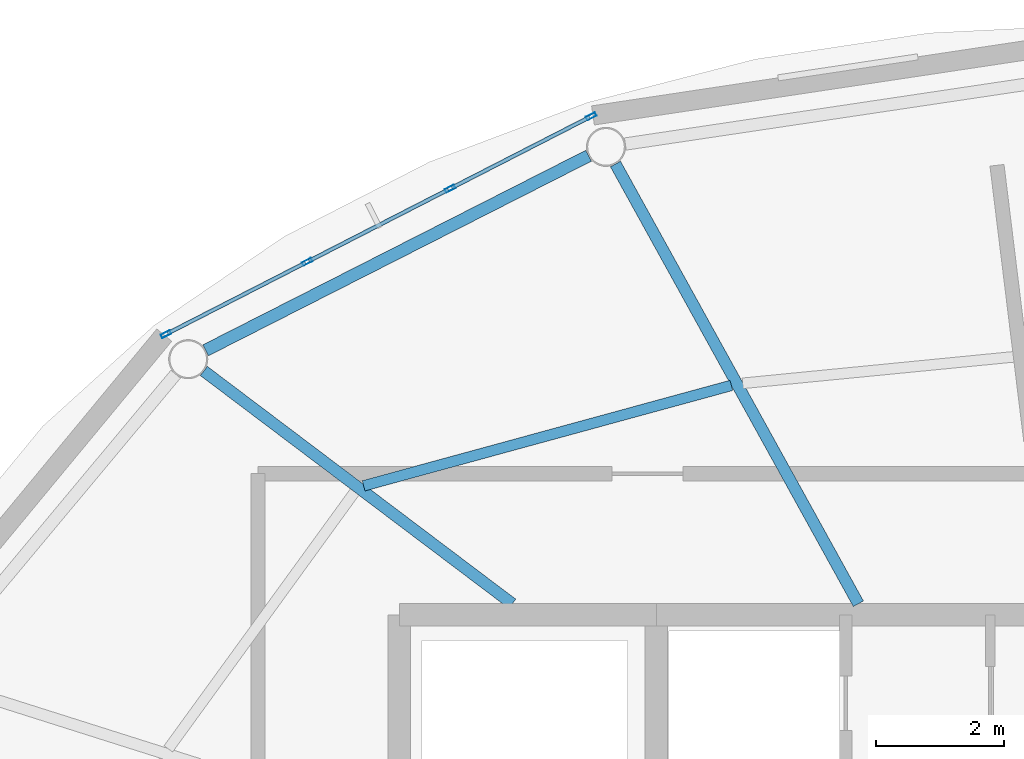
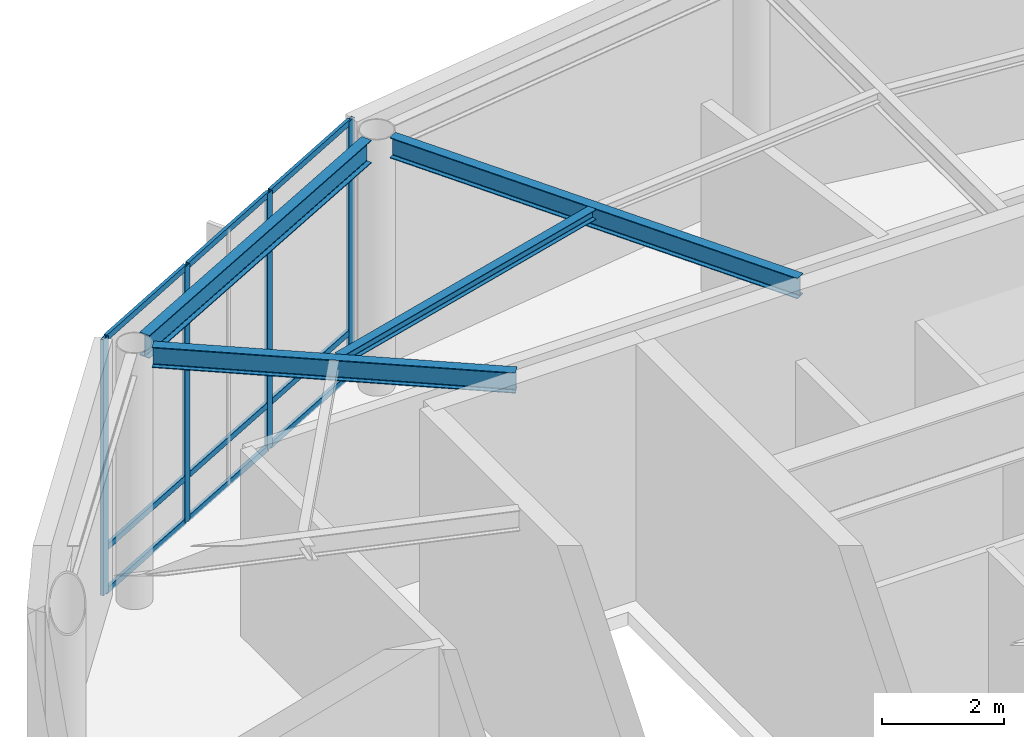
# One storey, part 7 of 14: 13 members, 4 beams, 1 element without a shape of its own.
"""IFC4 building model written with IfcOpenShell, lengths in metres."""

from ifc_helpers import new_model, si_unit, direction, frame, origin, origin_2d, place, context, subcontext, project, spatial, hollow_rectangle, i_section, extrude, material, layer, layer_set, material_profile, profile_set, type_object, element, aggregate, save


model = new_model("IFC4")

# Units and contexts
model_context = context("Model", 3, precision=1e-05, world=origin(), true_north=direction((0.0, 1.0)))
body_context = subcontext(model_context, "Body", "Model", "MODEL_VIEW")
ifc_project = project(units=[si_unit("LENGTHUNIT", "METRE"), si_unit("AREAUNIT", "SQUARE_METRE"), si_unit("VOLUMEUNIT", "CUBIC_METRE"), si_unit("PLANEANGLEUNIT", "RADIAN"), si_unit("MASSUNIT", "GRAM", prefix="KILO")], contexts=[model_context])

# Site, building, storey
site_placement = place(None, origin())
site = spatial("IfcSite", under=ifc_project, at=site_placement, CompositionType="ELEMENT")
building_placement = place(site_placement, origin())
building = spatial("IfcBuilding", under=site, at=building_placement, Name="Sarneth Arch Tower", CompositionType="ELEMENT")
storey_placement = place(building_placement, frame((0.0, 0.0, 321.60009765625)))
storey = spatial("IfcBuildingStorey", under=building, at=storey_placement, Name="L83", CompositionType="ELEMENT", Elevation=321.60009765625)

# Beams
ifc_material_1 = material(Name="Steel S355", Category="steel")
ifc_material_profile_1 = material_profile(ifc_material_1, i_section(OverallWidth=0.1650390625, OverallDepth=0.200927734375, WebThickness=0.006103515625, FlangeThickness=0.01025390625, FilletRadius=0.010009765625, at=origin_2d()), Name="W200x35.9")
ifc_profile_set_1 = profile_set([ifc_material_profile_1], Name="Steel S355")
beam_type_1 = type_object("IfcBeamType", Name="BM-JOIST-200", PredefinedType="JOIST", material=ifc_profile_set_1)
beam_1_placement = place(storey_placement, frame((42.1689453125, 52.375, 5.039306640625), z_axis=(-0.964665041137, -0.263479332034, 0.0), x_axis=(0.263479332034, -0.964665041137, 0.0)))
element("IfcBeam", 1, at=beam_1_placement, inside=storey, type_object=beam_type_1, Name="L83 Secondary floor joist 06", PredefinedType="JOIST", context=body_context, shape_type="SweptSolid", body=[
    extrude(i_section(OverallWidth=0.1650390625, OverallDepth=0.200927734375, WebThickness=0.006103515625, FlangeThickness=0.01025390625, FilletRadius=0.010009765625, at=origin_2d()), origin(), (0.0, 0.0, 1.0), 5.935791015625),
])
ifc_material_2 = material(Name="Steel S355", Category="steel")
ifc_material_profile_2 = material_profile(ifc_material_2, i_section(OverallWidth=0.179931640625, OverallDepth=0.4130859375, WebThickness=0.009765625, FlangeThickness=0.01611328125, FilletRadius=0.01611328125, at=origin_2d()), Name="W410x75")
ifc_profile_set_2 = profile_set([ifc_material_profile_2], Name="Steel S355")
beam_type_2 = type_object("IfcBeamType", Name="BM-RAD-410B", PredefinedType="BEAM", material=ifc_profile_set_2)
beam_2_placement = place(storey_placement, frame((44.14697265625, 48.97509765625, 4.933349609375), z_axis=(-0.483540137105, 0.875322189715, 0.0), x_axis=(-0.875322189715, -0.483540137105, 0.0)))
element("IfcBeam", 2, at=beam_2_placement, inside=storey, type_object=beam_type_2, Name="L83 Radial floor girder 06", PredefinedType="BEAM", context=body_context, shape_type="SweptSolid", body=[
    extrude(i_section(OverallWidth=0.179931640625, OverallDepth=0.4130859375, WebThickness=0.009765625, FlangeThickness=0.01611328125, FilletRadius=0.01611328125, at=origin_2d()), origin(), (0.0, 0.0, 1.0), 7.822509765625),
])
beam_3_placement = place(storey_placement, frame((38.757568359375, 48.97509765625, 4.933349609375), z_axis=(-0.798219333929, 0.602366910563, 0.0), x_axis=(-0.602366910563, -0.798219333929, 0.0)))
element("IfcBeam", 3, at=beam_3_placement, inside=storey, type_object=beam_type_2, Name="L83 Radial floor girder 07", PredefinedType="BEAM", context=body_context, shape_type="SweptSolid", body=[
    extrude(i_section(OverallWidth=0.179931640625, OverallDepth=0.4130859375, WebThickness=0.009765625, FlangeThickness=0.01611328125, FilletRadius=0.01611328125, at=origin_2d()), origin(), (0.0, 0.0, 1.0), 6.01708984375),
])
ifc_material_3 = material(Name="Steel S355", Category="steel")
ifc_material_profile_3 = material_profile(ifc_material_3, i_section(OverallWidth=0.19189453125, OverallDepth=0.462890625, WebThickness=0.010498046875, FlangeThickness=0.017578125, FilletRadius=0.01806640625, at=origin_2d()), Name="W460x89")
ifc_profile_set_3 = profile_set([ifc_material_profile_3], Name="Steel S355")
beam_type_3 = type_object("IfcBeamType", Name="BM-RAD-460B", PredefinedType="BEAM", material=ifc_profile_set_3)
beam_4_placement = place(storey_placement, frame((39.945068359375, 55.950927734375, 4.908447265625), z_axis=(-0.891524580884, -0.45297231889, 0.0), x_axis=(0.45297231889, -0.891524580884, 0.0)))
element("IfcBeam", 4, at=beam_4_placement, inside=storey, type_object=beam_type_3, Name="L83 Perimeter spandrel beam 06", PredefinedType="BEAM", context=body_context, shape_type="SweptSolid", body=[
    extrude(i_section(OverallWidth=0.19189453125, OverallDepth=0.462890625, WebThickness=0.010498046875, FlangeThickness=0.017578125, FilletRadius=0.01806640625, at=origin_2d()), origin(), (0.0, 0.0, 1.0), 6.6875),
])

# Curtain wall, members
ifc_material_4 = material(Name="Anodised aluminium Type AA25 and solar-control low-e laminated IGU", Category="aluminium")
ifc_layer = layer(ifc_material_4, 0.18994140625)
ifc_layer_set = layer_set([ifc_layer], Name="Anodised aluminium Type AA25 and solar-control low-e laminated IGU")
curtain_wall_type = type_object("IfcCurtainWallType", Name="CW-CROWN-DRUM", PredefinedType="NOTDEFINED", material=ifc_layer_set)
curtain_wall_placement = place(storey_placement, origin())
curtain_wall = element("IfcCurtainWall", 5, at=curtain_wall_placement, inside=storey, type_object=curtain_wall_type, Name="L83 Unitised curtain wall facet 06", PredefinedType="NOTDEFINED")
ifc_material_5 = material(Name="Anodised Aluminium 6063-T6", Category="aluminium")
ifc_material_profile_4 = material_profile(ifc_material_5, hollow_rectangle(XDim=0.06005859375, YDim=0.159912109375, WallThickness=0.00390625, at=origin_2d()), Name="AL-MULL-160x60x4")
ifc_profile_set_4 = profile_set([ifc_material_profile_4], Name="Anodised Aluminium 6063-T6")
member_type_1 = type_object("IfcMemberType", Name="CW-MULLION", PredefinedType="MULLION", material=ifc_profile_set_4)
member_1_placement = place(storey_placement, frame((39.98779296875, 56.565185546875, 0.0), z_axis=(0.0, 0.0, 1.0), x_axis=(0.456040359598, -0.8899590948, 0.0)))
member_1 = element("IfcMember", 6, at=member_1_placement, type_object=member_type_1, Name="CW-SYS-7 mullion 1", PredefinedType="MULLION", context=body_context, shape_type="SweptSolid", body=[
    extrude(hollow_rectangle(XDim=0.06005859375, YDim=0.159912109375, WallThickness=0.00390625, at=origin_2d()), origin(), (0.0, 0.0, 1.0), 5.139892578125),
])
member_2_placement = place(storey_placement, frame((37.789306640625, 55.4384765625, 0.0), z_axis=(0.0, 0.0, 1.0), x_axis=(0.456040359598, -0.8899590948, 0.0)))
member_2 = element("IfcMember", 7, at=member_2_placement, type_object=member_type_1, Name="CW-SYS-7 mullion 2", PredefinedType="MULLION", context=body_context, shape_type="SweptSolid", body=[
    extrude(hollow_rectangle(XDim=0.06005859375, YDim=0.159912109375, WallThickness=0.00390625, at=origin_2d()), origin(), (0.0, 0.0, 1.0), 5.139892578125),
])
member_3_placement = place(storey_placement, frame((35.564208984375, 54.29833984375, 0.0), z_axis=(0.0, 0.0, 1.0), x_axis=(0.456040359598, -0.8899590948, 0.0)))
member_3 = element("IfcMember", 8, at=member_3_placement, type_object=member_type_1, Name="CW-SYS-7 mullion 3", PredefinedType="MULLION", context=body_context, shape_type="SweptSolid", body=[
    extrude(hollow_rectangle(XDim=0.06005859375, YDim=0.159912109375, WallThickness=0.00390625, at=origin_2d()), origin(), (0.0, 0.0, 1.0), 5.139892578125),
])
member_4_placement = place(storey_placement, frame((33.36572265625, 53.171875, 0.0), z_axis=(0.0, 0.0, 1.0), x_axis=(0.456040359598, -0.8899590948, 0.0)))
member_4 = element("IfcMember", 9, at=member_4_placement, type_object=member_type_1, Name="CW-SYS-7 mullion 4", PredefinedType="MULLION", context=body_context, shape_type="SweptSolid", body=[
    extrude(hollow_rectangle(XDim=0.06005859375, YDim=0.159912109375, WallThickness=0.00390625, at=origin_2d()), origin(), (0.0, 0.0, 1.0), 5.139892578125),
])
ifc_material_6 = material(Name="Anodised Aluminium 6063-T6", Category="aluminium")
ifc_material_profile_5 = material_profile(ifc_material_6, hollow_rectangle(XDim=0.06005859375, YDim=0.1201171875, WallThickness=0.00390625, at=origin_2d()), Name="AL-TRAN-120x60x4")
ifc_profile_set_5 = profile_set([ifc_material_profile_5], Name="Anodised Aluminium 6063-T6")
member_type_2 = type_object("IfcMemberType", Name="CW-TRANSOM", PredefinedType="USERDEFINED", material=ifc_profile_set_5)
member_5_placement = place(storey_placement, frame((39.9609375, 56.551513671875, 0.02978515625), z_axis=(-0.889967167286, -0.456024605864, 0.0), x_axis=(0.456024605864, -0.889967167286, 0.0)))
member_5 = element("IfcMember", 10, at=member_5_placement, type_object=member_type_2, Name="CW-SYS-7 transom 1.1", ObjectType="TRANSOM", PredefinedType="USERDEFINED", context=body_context, shape_type="SweptSolid", body=[
    extrude(hollow_rectangle(XDim=0.06005859375, YDim=0.1201171875, WallThickness=0.00390625, at=origin_2d()), origin(), (0.0, 0.0, 1.0), 2.41015625),
])
member_6_placement = place(storey_placement, frame((39.9609375, 56.551513671875, 0.89990234375), z_axis=(-0.889967167286, -0.456024605864, 0.0), x_axis=(0.456024605864, -0.889967167286, 0.0)))
member_6 = element("IfcMember", 11, at=member_6_placement, type_object=member_type_2, Name="CW-SYS-7 transom 1.2", ObjectType="TRANSOM", PredefinedType="USERDEFINED", context=body_context, shape_type="SweptSolid", body=[
    extrude(hollow_rectangle(XDim=0.06005859375, YDim=0.1201171875, WallThickness=0.00390625, at=origin_2d()), origin(), (0.0, 0.0, 1.0), 2.41015625),
])
member_7_placement = place(storey_placement, frame((39.9609375, 56.551513671875, 5.10986328125), z_axis=(-0.889967167286, -0.456024605864, 0.0), x_axis=(0.456024605864, -0.889967167286, 0.0)))
member_7 = element("IfcMember", 12, at=member_7_placement, type_object=member_type_2, Name="CW-SYS-7 transom 1.3", ObjectType="TRANSOM", PredefinedType="USERDEFINED", context=body_context, shape_type="SweptSolid", body=[
    extrude(hollow_rectangle(XDim=0.06005859375, YDim=0.1201171875, WallThickness=0.00390625, at=origin_2d()), origin(), (0.0, 0.0, 1.0), 2.41015625),
])
member_8_placement = place(storey_placement, frame((37.762451171875, 55.4248046875, 0.02978515625), z_axis=(-0.889961168319, -0.45603631312, 0.0), x_axis=(0.45603631312, -0.889961168319, 0.0)))
member_8 = element("IfcMember", 13, at=member_8_placement, type_object=member_type_2, Name="CW-SYS-7 transom 2.1", ObjectType="TRANSOM", PredefinedType="USERDEFINED", context=body_context, shape_type="SweptSolid", body=[
    extrude(hollow_rectangle(XDim=0.06005859375, YDim=0.1201171875, WallThickness=0.00390625, at=origin_2d()), origin(), (0.0, 0.0, 1.0), 2.440185546875),
])
member_9_placement = place(storey_placement, frame((37.762451171875, 55.4248046875, 0.89990234375), z_axis=(-0.889961168319, -0.45603631312, 0.0), x_axis=(0.45603631312, -0.889961168319, 0.0)))
member_9 = element("IfcMember", 14, at=member_9_placement, type_object=member_type_2, Name="CW-SYS-7 transom 2.2", ObjectType="TRANSOM", PredefinedType="USERDEFINED", context=body_context, shape_type="SweptSolid", body=[
    extrude(hollow_rectangle(XDim=0.06005859375, YDim=0.1201171875, WallThickness=0.00390625, at=origin_2d()), origin(), (0.0, 0.0, 1.0), 2.440185546875),
])
member_10_placement = place(storey_placement, frame((37.762451171875, 55.4248046875, 5.10986328125), z_axis=(-0.889961168319, -0.45603631312, 0.0), x_axis=(0.45603631312, -0.889961168319, 0.0)))
member_10 = element("IfcMember", 15, at=member_10_placement, type_object=member_type_2, Name="CW-SYS-7 transom 2.3", ObjectType="TRANSOM", PredefinedType="USERDEFINED", context=body_context, shape_type="SweptSolid", body=[
    extrude(hollow_rectangle(XDim=0.06005859375, YDim=0.1201171875, WallThickness=0.00390625, at=origin_2d()), origin(), (0.0, 0.0, 1.0), 2.440185546875),
])
member_11_placement = place(storey_placement, frame((35.537353515625, 54.28466796875, 0.02978515625), z_axis=(-0.889967167286, -0.456024605864, 0.0), x_axis=(0.456024605864, -0.889967167286, 0.0)))
member_11 = element("IfcMember", 16, at=member_11_placement, type_object=member_type_2, Name="CW-SYS-7 transom 3.1", ObjectType="TRANSOM", PredefinedType="USERDEFINED", context=body_context, shape_type="SweptSolid", body=[
    extrude(hollow_rectangle(XDim=0.06005859375, YDim=0.1201171875, WallThickness=0.00390625, at=origin_2d()), origin(), (0.0, 0.0, 1.0), 2.41015625),
])
member_12_placement = place(storey_placement, frame((35.537353515625, 54.28466796875, 0.89990234375), z_axis=(-0.889967167286, -0.456024605864, 0.0), x_axis=(0.456024605864, -0.889967167286, 0.0)))
member_12 = element("IfcMember", 17, at=member_12_placement, type_object=member_type_2, Name="CW-SYS-7 transom 3.2", ObjectType="TRANSOM", PredefinedType="USERDEFINED", context=body_context, shape_type="SweptSolid", body=[
    extrude(hollow_rectangle(XDim=0.06005859375, YDim=0.1201171875, WallThickness=0.00390625, at=origin_2d()), origin(), (0.0, 0.0, 1.0), 2.41015625),
])
member_13_placement = place(storey_placement, frame((35.537353515625, 54.28466796875, 5.10986328125), z_axis=(-0.889967167286, -0.456024605864, 0.0), x_axis=(0.456024605864, -0.889967167286, 0.0)))
member_13 = element("IfcMember", 18, at=member_13_placement, type_object=member_type_2, Name="CW-SYS-7 transom 3.3", ObjectType="TRANSOM", PredefinedType="USERDEFINED", context=body_context, shape_type="SweptSolid", body=[
    extrude(hollow_rectangle(XDim=0.06005859375, YDim=0.1201171875, WallThickness=0.00390625, at=origin_2d()), origin(), (0.0, 0.0, 1.0), 2.41015625),
])
aggregate(curtain_wall, [member_1, member_2, member_3, member_4, member_5, member_6, member_7, member_8, member_9, member_10, member_11, member_12, member_13])

save(model, "model.ifc")
